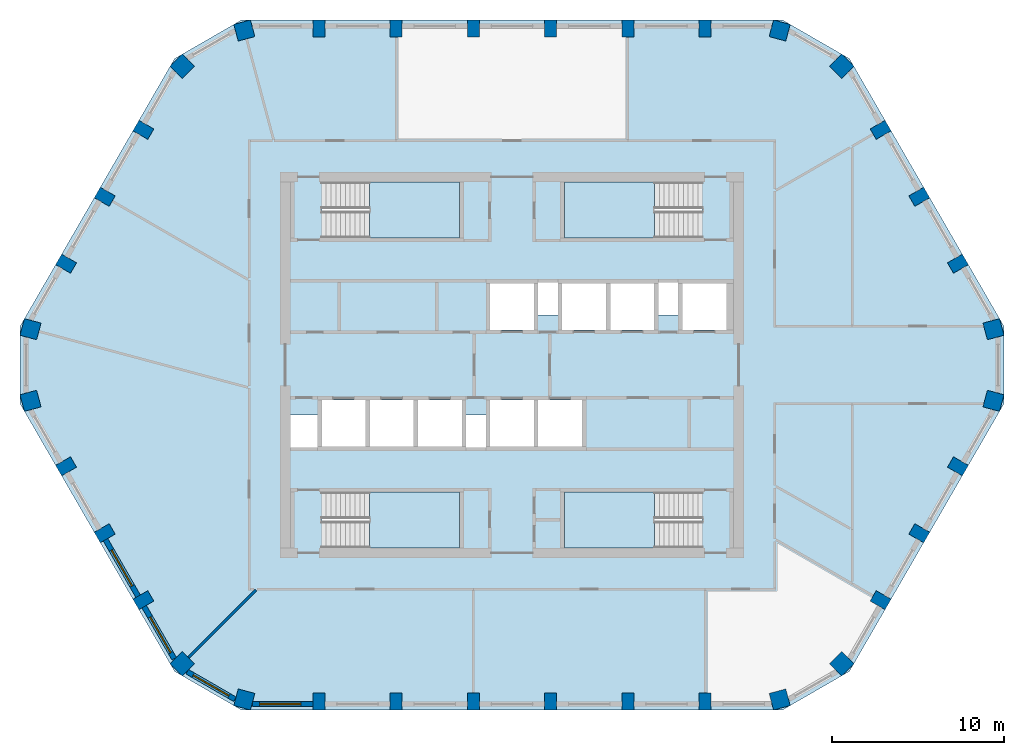
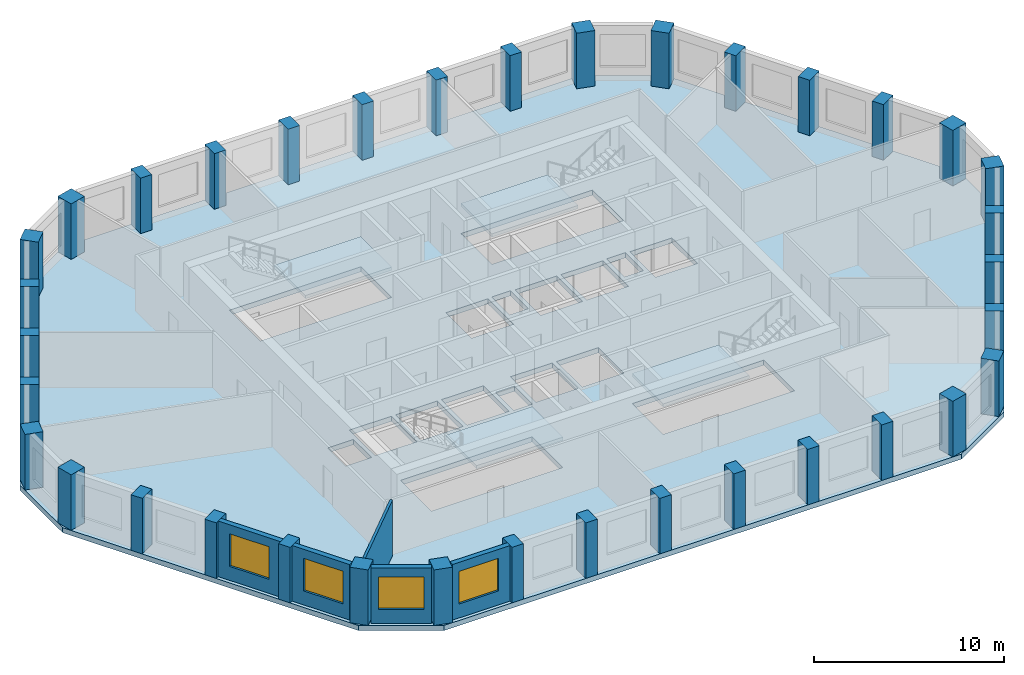
# One storey, part 1 of 10: 36 columns, 5 slabs, 5 walls, 4 windows, 4 openings, 4 elements without a shape of their own.
"""IFC4 building model written with IfcOpenShell, lengths in metres."""

from ifc_helpers import new_model, si_unit, direction, frame, frame_2d, origin, origin_2d, place, context, subcontext, project, spatial, polyline, rectangle, outline, extrude, material, layer, layer_set, material_profile, profile_set, type_object, element, fill, aggregate, save


model = new_model("IFC4")

# Units and contexts
model_context = context("Model", 3, precision=1e-05, world=origin(), true_north=direction((0.0, 1.0)))
body_context = subcontext(model_context, "Body", "Model", "MODEL_VIEW")
ifc_project = project(units=[si_unit("LENGTHUNIT", "METRE"), si_unit("AREAUNIT", "SQUARE_METRE"), si_unit("VOLUMEUNIT", "CUBIC_METRE"), si_unit("PLANEANGLEUNIT", "RADIAN"), si_unit("MASSUNIT", "GRAM", prefix="KILO")], contexts=[model_context])

# Site, building, storey
site_placement = place(None, origin())
site = spatial("IfcSite", under=ifc_project, at=site_placement, CompositionType="ELEMENT")
building_placement = place(site_placement, origin())
building = spatial("IfcBuilding", under=site, at=building_placement, Name="Dhurran Vertical Campus", CompositionType="ELEMENT")
storey_placement = place(building_placement, frame((0.0, 0.0, 250.800048828125)))
storey = spatial("IfcBuildingStorey", under=building, at=storey_placement, Name="L62", CompositionType="ELEMENT", Elevation=250.800048828125)

# Columns
ifc_material_1 = material(Name="Concrete C50/60", Category="concrete")
ifc_material_profile_1 = material_profile(ifc_material_1, rectangle(XDim=1.0, YDim=1.0, at=origin_2d()), Name="RC 1000x1000")
ifc_profile_set_1 = profile_set([ifc_material_profile_1], Name="Concrete C50/60")
column_type_1 = type_object("IfcColumnType", Name="FR COL RC 1000x1000 C50/60", PredefinedType="COLUMN", material=ifc_profile_set_1)
for number, where, z_axis, x_axis, name in (
    (1, (-15.5859375, -19.47607421875, 0.0), (0.0, 0.0, 1.0), (0.965925826289, -0.258819045103, 0.0), "Perimeter pier PP5.00"),
    (2, (15.5859375, -19.47607421875, 0.0), (0.0, 0.0, 1.0), (0.965925826289, 0.258819045103, 0.0), "Perimeter pier PP5.07"),
    (3, (19.19873046875, -17.39013671875, 0.0), (0.0, 0.0, 1.0), (0.707106781187, 0.707106781187, 0.0), "Perimeter pier PP5.08"),
    (4, (28.03466796875, -2.0859375, 0.0), (0.0, 0.0, 1.0), (0.258819045103, 0.965925826289, 0.0), "Perimeter pier PP5.12"),
    (5, (28.03466796875, 2.0859375, 0.0), (0.0, 0.0, 1.0), (-0.258819045103, 0.965925826289, 0.0), "Perimeter pier PP5.13"),
    (6, (19.19873046875, 17.39013671875, 0.0), (0.0, 0.0, 1.0), (-0.707106781187, 0.707106781187, 0.0), "Perimeter pier PP5.17"),
    (7, (15.5859375, 19.47607421875, 0.0), (0.0, 0.0, 1.0), (-0.965925826289, 0.258819045103, 0.0), "Perimeter pier PP5.18"),
    (8, (-15.5859375, 19.47607421875, 0.0), (0.0, 0.0, 1.0), (-0.965925826289, -0.258819045103, 0.0), "Perimeter pier PP5.25"),
    (9, (-19.19873046875, 17.39013671875, 0.0), (0.0, 0.0, 1.0), (-0.707106781187, -0.707106781187, 0.0), "Perimeter pier PP5.26"),
    (10, (-28.03466796875, 2.0859375, 0.0), (0.0, 0.0, 1.0), (-0.258819045103, -0.965925826289, 0.0), "Perimeter pier PP5.30"),
    (11, (-28.03466796875, -2.0859375, 0.0), (0.0, 0.0, 1.0), (0.258819045103, -0.965925826289, 0.0), "Perimeter pier PP5.31"),
    (12, (-19.19873046875, -17.39013671875, 0.0), (0.0, 0.0, 1.0), (0.707106781187, -0.707106781187, 0.0), "Perimeter pier PP5.35"),
):
    element("IfcColumn", number, at=place(storey_placement, frame(where, z_axis=z_axis, x_axis=x_axis)), inside=storey, type_object=column_type_1, Name=name, PredefinedType="COLUMN", context=body_context, shape_type="SweptSolid", body=[
        extrude(rectangle(XDim=1.0, YDim=1.0, at=origin_2d()), origin(), (0.0, 0.0, 1.0), 3.574951171875),
    ])
ifc_material_2 = material(Name="Concrete C50/60", Category="concrete")
ifc_material_profile_2 = material_profile(ifc_material_2, rectangle(XDim=0.699951171875, YDim=1.0, at=origin_2d()), Name="RC 700x1000")
ifc_profile_set_2 = profile_set([ifc_material_profile_2], Name="Concrete C50/60")
column_type_2 = type_object("IfcColumnType", Name="FR COL RC 700x1000 C50/60", PredefinedType="COLUMN", material=ifc_profile_set_2)
for number, where, z_axis, x_axis, name in (
    (13, (-11.25, -19.58837890625, 0.0), (0.0, 0.0, 1.0), (1.0, 0.0, 0.0), "Perimeter pier PP5.01"),
    (14, (-6.75, -19.58837890625, 0.0), (0.0, 0.0, 1.0), (1.0, 0.0, 0.0), "Perimeter pier PP5.02"),
    (15, (-2.25, -19.58837890625, 0.0), (0.0, 0.0, 1.0), (1.0, 0.0, 0.0), "Perimeter pier PP5.03"),
    (16, (2.25, -19.58837890625, 0.0), (0.0, 0.0, 1.0), (1.0, 0.0, 0.0), "Perimeter pier PP5.04"),
    (17, (6.75, -19.58837890625, 0.0), (0.0, 0.0, 1.0), (1.0, 0.0, 0.0), "Perimeter pier PP5.05"),
    (18, (11.25, -19.58837890625, 0.0), (0.0, 0.0, 1.0), (1.0, 0.0, 0.0), "Perimeter pier PP5.06"),
    (19, (21.464111328125, -13.69140625, 0.0), (0.0, 0.0, 1.0), (0.5, 0.866025403784, 0.0), "Perimeter pier PP5.09"),
    (20, (23.714111328125, -9.794189453125, 0.0), (0.0, 0.0, 1.0), (0.5, 0.866025403784, 0.0), "Perimeter pier PP5.10"),
    (21, (25.964111328125, -5.897216796875, 0.0), (0.0, 0.0, 1.0), (0.5, 0.866025403784, 0.0), "Perimeter pier PP5.11"),
    (22, (25.964111328125, 5.897216796875, 0.0), (0.0, 0.0, 1.0), (-0.5, 0.866025403784, 0.0), "Perimeter pier PP5.14"),
    (23, (23.714111328125, 9.794189453125, 0.0), (0.0, 0.0, 1.0), (-0.5, 0.866025403784, 0.0), "Perimeter pier PP5.15"),
    (24, (21.464111328125, 13.69140625, 0.0), (0.0, 0.0, 1.0), (-0.5, 0.866025403784, 0.0), "Perimeter pier PP5.16"),
    (25, (11.25, 19.58837890625, 0.0), (0.0, 0.0, 1.0), (-1.0, 0.0, 0.0), "Perimeter pier PP5.19"),
    (26, (6.75, 19.58837890625, 0.0), (0.0, 0.0, 1.0), (-1.0, 0.0, 0.0), "Perimeter pier PP5.20"),
    (27, (2.25, 19.58837890625, 0.0), (0.0, 0.0, 1.0), (-1.0, 0.0, 0.0), "Perimeter pier PP5.21"),
    (28, (-2.25, 19.58837890625, 0.0), (0.0, 0.0, 1.0), (-1.0, 0.0, 0.0), "Perimeter pier PP5.22"),
    (29, (-6.75, 19.58837890625, 0.0), (0.0, 0.0, 1.0), (-1.0, 0.0, 0.0), "Perimeter pier PP5.23"),
    (30, (-11.25, 19.58837890625, 0.0), (0.0, 0.0, 1.0), (-1.0, 0.0, 0.0), "Perimeter pier PP5.24"),
    (31, (-21.464111328125, 13.69140625, 0.0), (0.0, 0.0, 1.0), (-0.5, -0.866025403784, 0.0), "Perimeter pier PP5.27"),
    (32, (-23.714111328125, 9.794189453125, 0.0), (0.0, 0.0, 1.0), (-0.5, -0.866025403784, 0.0), "Perimeter pier PP5.28"),
    (33, (-25.964111328125, 5.897216796875, 0.0), (0.0, 0.0, 1.0), (-0.5, -0.866025403784, 0.0), "Perimeter pier PP5.29"),
    (34, (-25.964111328125, -5.897216796875, 0.0), (0.0, 0.0, 1.0), (0.5, -0.866025403784, 0.0), "Perimeter pier PP5.32"),
    (35, (-23.714111328125, -9.794189453125, 0.0), (0.0, 0.0, 1.0), (0.5, -0.866025403784, 0.0), "Perimeter pier PP5.33"),
    (36, (-21.464111328125, -13.69140625, 0.0), (0.0, 0.0, 1.0), (0.5, -0.866025403784, 0.0), "Perimeter pier PP5.34"),
):
    element("IfcColumn", number, at=place(storey_placement, frame(where, z_axis=z_axis, x_axis=x_axis)), inside=storey, type_object=column_type_2, Name=name, PredefinedType="COLUMN", context=body_context, shape_type="SweptSolid", body=[
        extrude(rectangle(XDim=0.699951171875, YDim=1.0, at=origin_2d()), origin(), (0.0, 0.0, 1.0), 3.574951171875),
    ])

# Slab
ifc_material_3 = material(Name="Concrete C40/50", Category="concrete")
ifc_layer_1 = layer(ifc_material_3, 0.324951171875)
ifc_layer_set_1 = layer_set([ifc_layer_1], Name="Concrete C40/50")
slab_type_1 = type_object("IfcSlabType", Name="FR POST-TENSIONED FLAT SLAB 325", PredefinedType="FLOOR", material=ifc_layer_set_1)
slab_1_placement = place(storey_placement, frame((0.0, 0.0, -0.324951171875)))
element("IfcSlab", 37, at=slab_1_placement, inside=storey, type_object=slab_type_1, Name="Floor slab L62", PredefinedType="FLOOR", context=body_context, shape_type="SweptSolid", body=[
    extrude(outline(polyline([(-15.75, -20.08837890625), (15.75, -20.08837890625), (19.647216796875, -17.83837890625), (28.647216796875, -2.25), (28.647216796875, 2.25), (19.647216796875, 17.83837890625), (15.75, 20.08837890625), (-15.75, 20.08837890625), (-19.647216796875, 17.83837890625), (-28.647216796875, 2.25), (-28.647216796875, -2.25), (-19.647216796875, -17.83837890625), (-15.75, -20.08837890625)]), holes=[polyline([(-1.27490234375, 2.050048828125), (1.27490234375, 2.050048828125), (1.27490234375, 4.75), (-1.27490234375, 4.75), (-1.27490234375, 2.050048828125)]), polyline([(9.925048828125, 2.050048828125), (12.47509765625, 2.050048828125), (12.47509765625, 4.75), (9.925048828125, 4.75), (9.925048828125, 2.050048828125)]), polyline([(-1.27490234375, -4.75), (1.27490234375, -4.75), (1.27490234375, -2.050048828125), (-1.27490234375, -2.050048828125), (-1.27490234375, -4.75)]), polyline([(1.52490234375, -4.75), (4.074951171875, -4.75), (4.074951171875, -2.050048828125), (1.52490234375, -2.050048828125), (1.52490234375, -4.75)]), polyline([(2.925048828125, 2.050048828125), (5.47509765625, 2.050048828125), (5.47509765625, 4.75), (2.925048828125, 4.75), (2.925048828125, 2.050048828125)]), polyline([(5.72509765625, 2.050048828125), (8.27490234375, 2.050048828125), (8.27490234375, 4.75), (5.72509765625, 4.75), (5.72509765625, 2.050048828125)]), polyline([(-11.074951171875, -4.75), (-8.52490234375, -4.75), (-8.52490234375, -2.050048828125), (-11.074951171875, -2.050048828125), (-11.074951171875, -4.75)]), polyline([(-8.27490234375, -4.75), (-5.72509765625, -4.75), (-5.72509765625, -2.050048828125), (-8.27490234375, -2.050048828125), (-8.27490234375, -4.75)]), polyline([(-5.47509765625, -4.75), (-2.925048828125, -4.75), (-2.925048828125, -2.050048828125), (-5.47509765625, -2.050048828125), (-5.47509765625, -4.75)]), polyline([(-11.050048828125, 7.39990234375), (-3.050048828125, 7.39990234375), (-3.050048828125, 10.64990234375), (-11.050048828125, 10.64990234375), (-11.050048828125, 7.39990234375)]), polyline([(3.050048828125, 7.39990234375), (11.050048828125, 7.39990234375), (11.050048828125, 10.64990234375), (3.050048828125, 10.64990234375), (3.050048828125, 7.39990234375)]), polyline([(-11.050048828125, -10.64990234375), (-3.050048828125, -10.64990234375), (-3.050048828125, -7.39990234375), (-11.050048828125, -7.39990234375), (-11.050048828125, -10.64990234375)]), polyline([(3.050048828125, -10.64990234375), (11.050048828125, -10.64990234375), (11.050048828125, -7.39990234375), (3.050048828125, -7.39990234375), (3.050048828125, -10.64990234375)]), polyline([(2.675048828125, 2.89990234375), (1.52490234375, 2.89990234375), (1.52490234375, 4.800048828125), (2.675048828125, 4.800048828125), (2.675048828125, 2.89990234375)]), polyline([(-12.89990234375, -2.89990234375), (-11.324951171875, -2.89990234375), (-11.324951171875, -4.800048828125), (-12.89990234375, -4.800048828125), (-12.89990234375, -2.89990234375)]), polyline([(-2.675048828125, -2.89990234375), (-1.52490234375, -2.89990234375), (-1.52490234375, -4.800048828125), (-2.675048828125, -4.800048828125), (-2.675048828125, -2.89990234375)]), polyline([(9.675048828125, 2.89990234375), (8.52490234375, 2.89990234375), (8.52490234375, 4.800048828125), (9.675048828125, 4.800048828125), (9.675048828125, 2.89990234375)])]), origin(), (0.0, 0.0, 1.0), 0.324951171875),
])

# Stair, slab
ifc_material_4 = material(Name="Concrete C40/50", Category="concrete")
stair_type = type_object("IfcStairType", Name="co-ST-CORE", PredefinedType="HALF_TURN_STAIR", material=ifc_material_4)
stair_1_placement = place(storey_placement, origin())
stair_1 = element("IfcStair", 38, at=stair_1_placement, inside=storey, type_object=stair_type, Name="L62 Protected exit stair ST1", PredefinedType="HALF_TURN_STAIR")
ifc_material_5 = material(Name="Concrete C40/50", Category="concrete")
ifc_layer_2 = layer(ifc_material_5, 0.199951171875)
ifc_layer_set_2 = layer_set([ifc_layer_2], Name="Concrete C40/50")
slab_type_2 = type_object("IfcSlabType", Name="co-SL-LANDING", PredefinedType="LANDING", material=ifc_layer_set_2)
slab_2_placement = place(storey_placement, frame((0.0, 0.0, 1.75)))
slab_2 = element("IfcSlab", 39, at=slab_2_placement, type_object=slab_type_2, Name="ST1 landing 1", PredefinedType="LANDING", context=body_context, shape_type="SweptSolid", body=[
    extrude(outline(polyline([(-8.300048828125, 7.39990234375), (-3.050048828125, 7.39990234375), (-3.050048828125, 10.64990234375), (-8.300048828125, 10.64990234375), (-8.300048828125, 7.39990234375)])), origin(), (0.0, 0.0, 1.0), 0.199951171875),
])
aggregate(stair_1, [slab_2])

stair_2_placement = place(storey_placement, origin())
stair_2 = element("IfcStair", 40, at=stair_2_placement, inside=storey, type_object=stair_type, Name="L62 Protected exit stair ST2", PredefinedType="HALF_TURN_STAIR")
slab_3_placement = place(storey_placement, frame((0.0, 0.0, 1.75)))
slab_3 = element("IfcSlab", 41, at=slab_3_placement, type_object=slab_type_2, Name="ST2 landing 1", PredefinedType="LANDING", context=body_context, shape_type="SweptSolid", body=[
    extrude(outline(polyline([(8.300048828125, 10.64990234375), (3.050048828125, 10.64990234375), (3.050048828125, 7.39990234375), (8.300048828125, 7.39990234375), (8.300048828125, 10.64990234375)])), origin(), (0.0, 0.0, 1.0), 0.199951171875),
])
aggregate(stair_2, [slab_3])

stair_3_placement = place(storey_placement, origin())
stair_3 = element("IfcStair", 42, at=stair_3_placement, inside=storey, type_object=stair_type, Name="L62 Protected exit stair ST3", PredefinedType="HALF_TURN_STAIR")
slab_4_placement = place(storey_placement, frame((0.0, 0.0, 1.75)))
slab_4 = element("IfcSlab", 43, at=slab_4_placement, type_object=slab_type_2, Name="ST3 landing 1", PredefinedType="LANDING", context=body_context, shape_type="SweptSolid", body=[
    extrude(outline(polyline([(-8.300048828125, -10.64990234375), (-3.050048828125, -10.64990234375), (-3.050048828125, -7.39990234375), (-8.300048828125, -7.39990234375), (-8.300048828125, -10.64990234375)])), origin(), (0.0, 0.0, 1.0), 0.199951171875),
])
aggregate(stair_3, [slab_4])

stair_4_placement = place(storey_placement, origin())
stair_4 = element("IfcStair", 44, at=stair_4_placement, inside=storey, type_object=stair_type, Name="L62 Protected exit stair ST4", PredefinedType="HALF_TURN_STAIR")
slab_5_placement = place(storey_placement, frame((0.0, 0.0, 1.75)))
slab_5 = element("IfcSlab", 45, at=slab_5_placement, type_object=slab_type_2, Name="ST4 landing 1", PredefinedType="LANDING", context=body_context, shape_type="SweptSolid", body=[
    extrude(outline(polyline([(8.300048828125, -7.39990234375), (3.050048828125, -7.39990234375), (3.050048828125, -10.64990234375), (8.300048828125, -10.64990234375), (8.300048828125, -7.39990234375)])), origin(), (0.0, 0.0, 1.0), 0.199951171875),
])
aggregate(stair_4, [slab_5])

# Wall, opening, window
ifc_material_6 = material(Name="Precast concrete C50/60", Category="concrete")
ifc_layer_3 = layer(ifc_material_6, 0.300048828125)
ifc_layer_set_3 = layer_set([ifc_layer_3], Name="Precast concrete C50/60")
wall_type_1 = type_object("IfcWallType", Name="Precast spandrel wall 300", PredefinedType="SOLIDWALL", material=ifc_layer_set_3)
wall_1_placement = place(storey_placement, frame((-15.09814453125, -19.738525390625, 0.0), z_axis=(0.0, 0.0, 1.0), x_axis=(1.0, 0.0, 0.0)))
wall_1 = element("IfcWall", 46, at=wall_1_placement, inside=storey, type_object=wall_type_1, Name="EW1 L62.00", PredefinedType="SOLIDWALL", context=body_context, shape_type="SweptSolid", body=[
    extrude(rectangle(XDim=3.49755859375, YDim=0.300048828125, at=frame_2d((1.748779296875, 0.0))), origin(), (0.0, 0.0, 1.0), 3.574951171875),
])
opening_1_placement = place(wall_1_placement, frame((0.398193359375, 0.0, 0.89990234375)))
opening_1 = element("IfcOpeningElement", 47, at=opening_1_placement, cuts=wall_1, Name="Opening WT1", PredefinedType="OPENING", context=body_context, shape_type="SweptSolid", body=[
    extrude(rectangle(XDim=2.39990234375, YDim=2.10009765625, at=frame_2d((1.199951171875, 1.050048828125))), frame((0.0, 0.159912109375, 0.0), z_axis=(0.0, -1.0, 0.0), x_axis=(1.0, 0.0, 0.0)), (0.0, 0.0, 1.0), 0.320068359375),
])
ifc_material_7 = material(Name="Aluminium frame with solar-control glass", Category="aluminium")
window_type = type_object("IfcWindowType", Name="Punched window 2400 x 2100", PartitioningType="SINGLE_PANEL", PredefinedType="WINDOW", material=ifc_material_7)
window_1_placement = place(opening_1_placement, origin())
window_1 = element("IfcWindow", 48, at=window_1_placement, inside=storey, type_object=window_type, Name="WT1 L62.00", OverallHeight=2.10009765625, OverallWidth=2.39990234375, PartitioningType="SINGLE_PANEL", PredefinedType="WINDOW", context=body_context, shape_type="SweptSolid", body=[
    extrude(rectangle(XDim=2.39990234375, YDim=2.10009765625, at=frame_2d((1.199951171875, 1.050048828125))), frame((0.0, 0.030029296875, 0.0), z_axis=(0.0, -1.0, 0.0), x_axis=(1.0, 0.0, 0.0)), (0.0, 0.0, 1.0), 0.06005859375),
])
fill(opening_1, window_1)

wall_2_placement = place(storey_placement, frame((-23.668701171875, -10.1728515625, 0.0), z_axis=(0.0, 0.0, 1.0), x_axis=(0.499982058975, -0.866035761792, 0.0)))
wall_2 = element("IfcWall", 49, at=wall_2_placement, inside=storey, type_object=wall_type_1, Name="EW1 L62.33", PredefinedType="SOLIDWALL", context=body_context, shape_type="SweptSolid", body=[
    extrude(rectangle(XDim=3.799072265625, YDim=0.300048828125, at=frame_2d((1.8994140625, 0.0))), origin(), (0.0, 0.0, 1.0), 3.574951171875),
])
opening_2_placement = place(wall_2_placement, frame((0.699462890625, 0.0, 0.89990234375)))
opening_2 = element("IfcOpeningElement", 50, at=opening_2_placement, cuts=wall_2, Name="Opening WT1", PredefinedType="OPENING", context=body_context, shape_type="SweptSolid", body=[
    extrude(rectangle(XDim=2.39990234375, YDim=2.10009765625, at=frame_2d((1.199951171875, 1.050048828125))), frame((0.0, 0.159912109375, 0.0), z_axis=(0.0, -1.0, 0.0), x_axis=(1.0, 0.0, 0.0)), (0.0, 0.0, 1.0), 0.320068359375),
])
window_2_placement = place(opening_2_placement, origin())
window_2 = element("IfcWindow", 51, at=window_2_placement, inside=storey, type_object=window_type, Name="WT1 L62.33", OverallHeight=2.10009765625, OverallWidth=2.39990234375, PartitioningType="SINGLE_PANEL", PredefinedType="WINDOW", context=body_context, shape_type="SweptSolid", body=[
    extrude(rectangle(XDim=2.39990234375, YDim=2.10009765625, at=frame_2d((1.199951171875, 1.050048828125))), frame((0.0, 0.030029296875, 0.0), z_axis=(0.0, -1.0, 0.0), x_axis=(1.0, 0.0, 0.0)), (0.0, 0.0, 1.0), 0.06005859375),
])
fill(opening_2, window_2)

wall_3_placement = place(storey_placement, frame((-21.418701171875, -14.06982421875, 0.0), z_axis=(0.0, 0.0, 1.0), x_axis=(0.499960102815, -0.866048437209, 0.0)))
wall_3 = element("IfcWall", 52, at=wall_3_placement, inside=storey, type_object=wall_type_1, Name="EW1 L62.34", PredefinedType="SOLIDWALL", context=body_context, shape_type="SweptSolid", body=[
    extrude(rectangle(XDim=3.497802734375, YDim=0.300048828125, at=frame_2d((1.7490234375, 0.0))), origin(), (0.0, 0.0, 1.0), 3.574951171875),
])
opening_3_placement = place(wall_3_placement, frame((0.699462890625, 0.0, 0.89990234375)))
opening_3 = element("IfcOpeningElement", 53, at=opening_3_placement, cuts=wall_3, Name="Opening WT1", PredefinedType="OPENING", context=body_context, shape_type="SweptSolid", body=[
    extrude(rectangle(XDim=2.39990234375, YDim=2.10009765625, at=frame_2d((1.199951171875, 1.050048828125))), frame((0.0, 0.159912109375, 0.0), z_axis=(0.0, -1.0, 0.0), x_axis=(1.0, 0.0, 0.0)), (0.0, 0.0, 1.0), 0.320068359375),
])
window_3_placement = place(opening_3_placement, origin())
window_3 = element("IfcWindow", 54, at=window_3_placement, inside=storey, type_object=window_type, Name="WT1 L62.34", OverallHeight=2.10009765625, OverallWidth=2.39990234375, PartitioningType="SINGLE_PANEL", PredefinedType="WINDOW", context=body_context, shape_type="SweptSolid", body=[
    extrude(rectangle(XDim=2.39990234375, YDim=2.10009765625, at=frame_2d((1.199951171875, 1.050048828125))), frame((0.0, 0.030029296875, 0.0), z_axis=(0.0, -1.0, 0.0), x_axis=(1.0, 0.0, 0.0)), (0.0, 0.0, 1.0), 0.06005859375),
])
fill(opening_3, window_3)

wall_4_placement = place(storey_placement, frame((-18.90771484375, -17.861328125, 0.0), z_axis=(0.0, 0.0, 1.0), x_axis=(0.866025316205, -0.500000151692, 0.0)))
wall_4 = element("IfcWall", 55, at=wall_4_placement, inside=storey, type_object=wall_type_1, Name="EW1 L62.35", PredefinedType="SOLIDWALL", context=body_context, shape_type="SweptSolid", body=[
    extrude(rectangle(XDim=3.1962890625, YDim=0.300048828125, at=frame_2d((1.59814453125, 0.0))), origin(), (0.0, 0.0, 1.0), 3.574951171875),
])
opening_4_placement = place(wall_4_placement, frame((0.398193359375, 0.0, 0.89990234375)))
opening_4 = element("IfcOpeningElement", 56, at=opening_4_placement, cuts=wall_4, Name="Opening WT1", PredefinedType="OPENING", context=body_context, shape_type="SweptSolid", body=[
    extrude(rectangle(XDim=2.39990234375, YDim=2.10009765625, at=frame_2d((1.199951171875, 1.050048828125))), frame((0.0, 0.159912109375, 0.0), z_axis=(0.0, -1.0, 0.0), x_axis=(1.0, 0.0, 0.0)), (0.0, 0.0, 1.0), 0.320068359375),
])
window_4_placement = place(opening_4_placement, origin())
window_4 = element("IfcWindow", 57, at=window_4_placement, inside=storey, type_object=window_type, Name="WT1 L62.35", OverallHeight=2.10009765625, OverallWidth=2.39990234375, PartitioningType="SINGLE_PANEL", PredefinedType="WINDOW", context=body_context, shape_type="SweptSolid", body=[
    extrude(rectangle(XDim=2.39990234375, YDim=2.10009765625, at=frame_2d((1.199951171875, 1.050048828125))), frame((0.0, 0.030029296875, 0.0), z_axis=(0.0, -1.0, 0.0), x_axis=(1.0, 0.0, 0.0)), (0.0, 0.0, 1.0), 0.06005859375),
])
fill(opening_4, window_4)

# Wall
ifc_material_8 = material(Name="Gypsum board partition on steel studs", Category="steel")
ifc_layer_4 = layer(ifc_material_8, 0.14990234375)
ifc_layer_set_4 = layer_set([ifc_layer_4], Name="Gypsum board partition on steel studs")
wall_type_2 = type_object("IfcWallType", Name="fl-PW-150 fixed partition", PredefinedType="PARTITIONING", material=ifc_layer_set_4)
wall_5_placement = place(storey_placement, frame((-14.912109375, -13.10302734375, 0.0), z_axis=(0.0, 0.0, 1.0), x_axis=(-0.707018679171, -0.707194872226, 0.0)))
element("IfcWall", 58, at=wall_5_placement, inside=storey, type_object=wall_type_2, Name="Partition 62-03", PredefinedType="PARTITIONING", context=body_context, shape_type="SweptSolid", body=[
    extrude(rectangle(XDim=5.54248046875, YDim=0.14990234375, at=frame_2d((2.771240234375, 0.0))), origin(), (0.0, 0.0, 1.0), 3.574951171875),
])

save(model, "model.ifc")
